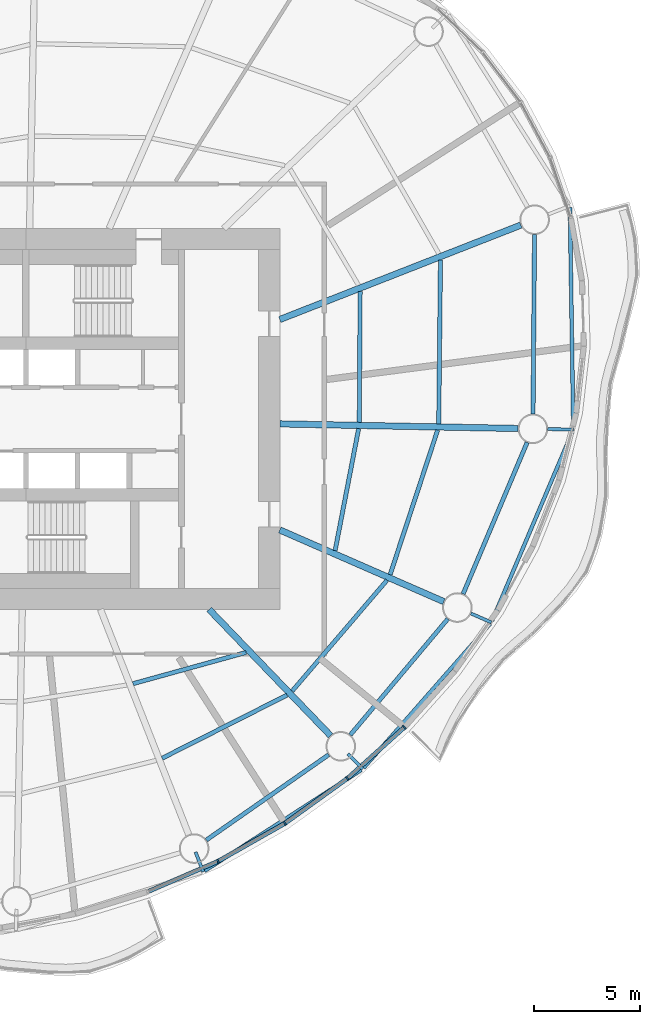
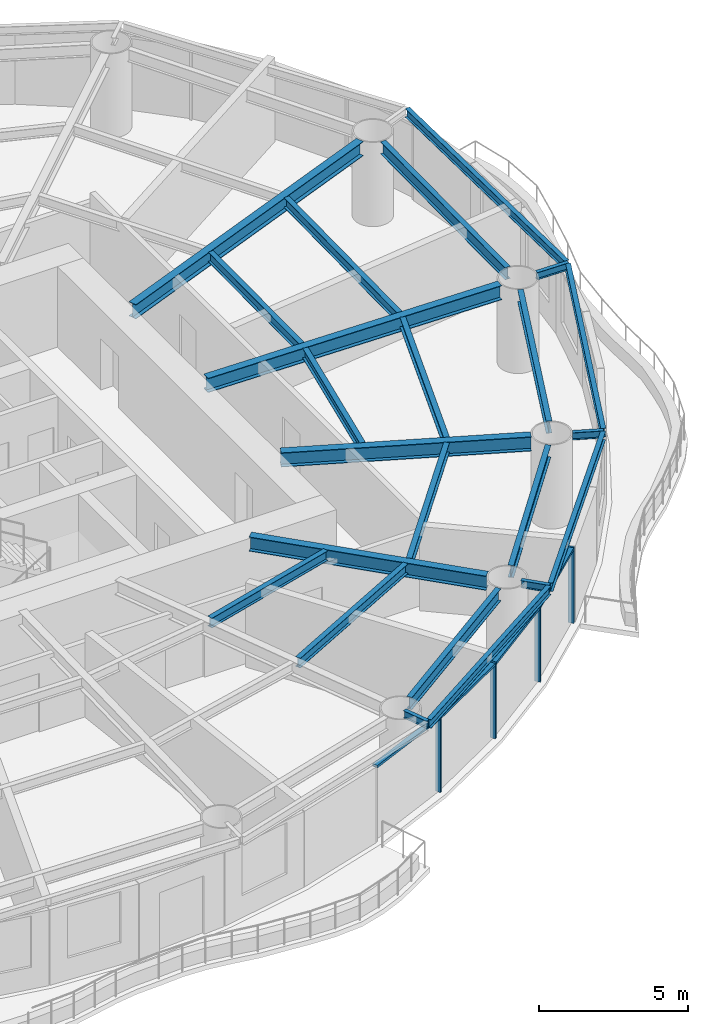
# One storey, part 4 of 14: 23 beams, 8 members, 4 elements without a shape of their own.
"""IFC4 building model written with IfcOpenShell, lengths in metres."""

from ifc_helpers import new_model, si_unit, direction, frame, origin, origin_2d, place, context, subcontext, project, spatial, rectangle, i_section, extrude, material, material_profile, profile_set, type_object, element, aggregate, save


model = new_model("IFC4")

# Units and contexts
model_context = context("Model", 3, precision=1e-05, world=origin(), true_north=direction((0.0, 1.0)))
body_context = subcontext(model_context, "Body", "Model", "MODEL_VIEW")
ifc_project = project(units=[si_unit("LENGTHUNIT", "METRE"), si_unit("AREAUNIT", "SQUARE_METRE"), si_unit("VOLUMEUNIT", "CUBIC_METRE"), si_unit("PLANEANGLEUNIT", "RADIAN"), si_unit("MASSUNIT", "GRAM", prefix="KILO")], contexts=[model_context])

# Site, building, storey
site_placement = place(None, origin())
site = spatial("IfcSite", under=ifc_project, at=site_placement, CompositionType="ELEMENT")
building_placement = place(site_placement, origin())
building = spatial("IfcBuilding", under=site, at=building_placement, Name="Vermilion Reach Broadcast Tower", CompositionType="ELEMENT")
storey_placement = place(building_placement, frame((0.0, 0.0, 165.0)))
storey = spatial("IfcBuildingStorey", under=building, at=storey_placement, Name="L39", CompositionType="ELEMENT", Elevation=165.0)

# Beams
ifc_material_1 = material(Name="Steel S355J2", Category="steel")
ifc_material_profile_1 = material_profile(ifc_material_1, i_section(OverallWidth=0.175048828125, OverallDepth=0.35009765625, WebThickness=0.007080078125, FlangeThickness=0.010986328125, at=origin_2d()), Name="S355J2 HN 350x175x7x11")
ifc_profile_set_1 = profile_set([ifc_material_profile_1], Name="Steel S355J2")
beam_type_1 = type_object("IfcBeamType", Name="EB3 HN 350x175x7x11", PredefinedType="BEAM", material=ifc_profile_set_1)
beam_1_placement = place(storey_placement, frame((2.4462890625, -21.358154296875, 3.27490234375), z_axis=(0.840483530554, 0.541837092553, 0.0), x_axis=(-0.541837092553, 0.840483530554, 0.0)))
element("IfcBeam", 1, at=beam_1_placement, inside=storey, type_object=beam_type_1, Name="Edge beam EB3-12", PredefinedType="BEAM", context=body_context, shape_type="SweptSolid", body=[
    extrude(i_section(OverallWidth=0.175048828125, OverallDepth=0.35009765625, WebThickness=0.007080078125, FlangeThickness=0.010986328125, at=origin_2d()), origin(), (0.0, 0.0, 1.0), 8.809326171875),
])
beam_2_placement = place(storey_placement, frame((9.96435546875, -16.487060546875, 3.27490234375), z_axis=(0.659596410878, 0.751619966976, 0.0), x_axis=(-0.751619966976, 0.659596410878, 0.0)))
element("IfcBeam", 2, at=beam_2_placement, inside=storey, type_object=beam_type_1, Name="Edge beam EB3-13", PredefinedType="BEAM", context=body_context, shape_type="SweptSolid", body=[
    extrude(i_section(OverallWidth=0.175048828125, OverallDepth=0.35009765625, WebThickness=0.007080078125, FlangeThickness=0.010986328125, at=origin_2d()), origin(), (0.0, 0.0, 1.0), 9.0654296875),
])
beam_3_placement = place(storey_placement, frame((16.025146484375, -9.545166015625, 3.27490234375), z_axis=(0.391075392007, 0.920358646271, 0.0), x_axis=(-0.920358646271, 0.391075392007, 0.0)))
element("IfcBeam", 3, at=beam_3_placement, inside=storey, type_object=beam_type_1, Name="Edge beam EB3-14", PredefinedType="BEAM", context=body_context, shape_type="SweptSolid", body=[
    extrude(i_section(OverallWidth=0.175048828125, OverallDepth=0.35009765625, WebThickness=0.007080078125, FlangeThickness=0.010986328125, at=origin_2d()), origin(), (0.0, 0.0, 1.0), 9.74560546875),
])
beam_4_placement = place(storey_placement, frame((19.866943359375, -0.42626953125, 3.27490234375), z_axis=(-0.015399378668, 0.999881422538, 0.0), x_axis=(-0.999881422538, -0.015399378668, 0.0)))
element("IfcBeam", 4, at=beam_4_placement, inside=storey, type_object=beam_type_1, Name="Edge beam EB3-15", PredefinedType="BEAM", context=body_context, shape_type="SweptSolid", body=[
    extrude(i_section(OverallWidth=0.175048828125, OverallDepth=0.35009765625, WebThickness=0.007080078125, FlangeThickness=0.010986328125, at=origin_2d()), origin(), (0.0, 0.0, 1.0), 10.416015625),
])
ifc_material_2 = material(Name="Steel S355J2", Category="steel")
ifc_material_profile_2 = material_profile(ifc_material_2, i_section(OverallWidth=0.300048828125, OverallDepth=0.587890625, WebThickness=0.011962890625, FlangeThickness=0.02001953125, at=origin_2d()), Name="S355J2 HM 588x300x12x20")
ifc_profile_set_2 = profile_set([ifc_material_profile_2], Name="Steel S355J2")
beam_type_2 = type_object("IfcBeamType", Name="G3 HM 588x300x12x20", PredefinedType="BEAM", material=ifc_profile_set_2)
beam_5_placement = place(storey_placement, frame((2.657958984375, -9.0, 3.156005859375), z_axis=(0.693282657492, -0.72066577331, 0.0), x_axis=(0.72066577331, 0.693282657492, 0.0)))
element("IfcBeam", 5, at=beam_5_placement, inside=storey, type_object=beam_type_2, Name="Girder G3-13", PredefinedType="BEAM", context=body_context, shape_type="SweptSolid", body=[
    extrude(i_section(OverallWidth=0.300048828125, OverallDepth=0.587890625, WebThickness=0.011962890625, FlangeThickness=0.02001953125, at=origin_2d()), origin(), (0.0, 0.0, 1.0), 8.273681640625),
])
beam_6_placement = place(storey_placement, frame((6.0, -5.2451171875, 3.156005859375), z_axis=(0.916287847036, -0.400520388213, 0.0), x_axis=(0.400520388213, 0.916287847036, 0.0)))
element("IfcBeam", 6, at=beam_6_placement, inside=storey, type_object=beam_type_2, Name="Girder G3-14", PredefinedType="BEAM", context=body_context, shape_type="SweptSolid", body=[
    extrude(i_section(OverallWidth=0.300048828125, OverallDepth=0.587890625, WebThickness=0.011962890625, FlangeThickness=0.02001953125, at=origin_2d()), origin(), (0.0, 0.0, 1.0), 8.45458984375),
])
beam_7_placement = place(storey_placement, frame((6.0, -0.232421875, 3.156005859375), z_axis=(0.999812170888, -0.019380994401, 0.0), x_axis=(0.019380994401, 0.999812170888, 0.0)))
element("IfcBeam", 7, at=beam_7_placement, inside=storey, type_object=beam_type_2, Name="Girder G3-15", PredefinedType="BEAM", context=body_context, shape_type="SweptSolid", body=[
    extrude(i_section(OverallWidth=0.300048828125, OverallDepth=0.587890625, WebThickness=0.011962890625, FlangeThickness=0.02001953125, at=origin_2d()), origin(), (0.0, 0.0, 1.0), 11.26171875),
])
beam_8_placement = place(storey_placement, frame((6.0, 4.700439453125, 3.156005859375), z_axis=(0.931124635714, 0.364701128004, 0.0), x_axis=(-0.364701128004, 0.931124635714, 0.0)))
element("IfcBeam", 8, at=beam_8_placement, inside=storey, type_object=beam_type_2, Name="Girder G3-16", PredefinedType="BEAM", context=body_context, shape_type="SweptSolid", body=[
    extrude(i_section(OverallWidth=0.300048828125, OverallDepth=0.587890625, WebThickness=0.011962890625, FlangeThickness=0.02001953125, at=origin_2d()), origin(), (0.0, 0.0, 1.0), 12.231201171875),
])
ifc_material_3 = material(Name="Steel S355J2", Category="steel")
ifc_material_profile_3 = material_profile(ifc_material_3, i_section(OverallWidth=0.14990234375, OverallDepth=0.300048828125, WebThickness=0.006591796875, FlangeThickness=0.009033203125, at=origin_2d()), Name="S355J2 HN 300x150x6.5x9")
ifc_profile_set_3 = profile_set([ifc_material_profile_3], Name="Steel S355J2")
beam_type_3 = type_object("IfcBeamType", Name="GS3 HN 300x150x6.5x9", PredefinedType="BEAM", material=ifc_profile_set_3)
beam_9_placement = place(storey_placement, frame((2.017333984375, -20.468505859375, 3.300048828125), z_axis=(0.364813627815, -0.931080564162, 0.0), x_axis=(0.931080564162, 0.364813627815, 0.0)))
element("IfcBeam", 9, at=beam_9_placement, inside=storey, type_object=beam_type_3, Name="Cantilever stub GS3-12", PredefinedType="BEAM", context=body_context, shape_type="SweptSolid", body=[
    extrude(i_section(OverallWidth=0.14990234375, OverallDepth=0.300048828125, WebThickness=0.006591796875, FlangeThickness=0.009033203125, at=origin_2d()), origin(), (0.0, 0.0, 1.0), 0.999755859375),
])
beam_10_placement = place(storey_placement, frame((9.221435546875, -15.822998046875, 3.300048828125), z_axis=(0.693303837595, -0.720645397388, 0.0), x_axis=(0.720645397388, 0.693303837595, 0.0)))
element("IfcBeam", 10, at=beam_10_placement, inside=storey, type_object=beam_type_3, Name="Cantilever stub GS3-13", PredefinedType="BEAM", context=body_context, shape_type="SweptSolid", body=[
    extrude(i_section(OverallWidth=0.14990234375, OverallDepth=0.300048828125, WebThickness=0.006591796875, FlangeThickness=0.009033203125, at=origin_2d()), origin(), (0.0, 0.0, 1.0), 1.0),
])
beam_11_placement = place(storey_placement, frame((15.02978515625, -9.19189453125, 3.300048828125), z_axis=(0.916258278461, -0.400588026721, 0.0), x_axis=(0.400588026721, 0.916258278461, 0.0)))
element("IfcBeam", 11, at=beam_11_placement, inside=storey, type_object=beam_type_3, Name="Cantilever stub GS3-14", PredefinedType="BEAM", context=body_context, shape_type="SweptSolid", body=[
    extrude(i_section(OverallWidth=0.14990234375, OverallDepth=0.300048828125, WebThickness=0.006591796875, FlangeThickness=0.009033203125, at=origin_2d()), origin(), (0.0, 0.0, 1.0), 1.054443359375),
])
beam_12_placement = place(storey_placement, frame((18.659423828125, -0.477783203125, 3.300048828125), z_axis=(0.999811990592, -0.019390293151, 0.0), x_axis=(0.019390293151, 0.999811990592, 0.0)))
element("IfcBeam", 12, at=beam_12_placement, inside=storey, type_object=beam_type_3, Name="Cantilever stub GS3-15", PredefinedType="BEAM", context=body_context, shape_type="SweptSolid", body=[
    extrude(i_section(OverallWidth=0.14990234375, OverallDepth=0.300048828125, WebThickness=0.006591796875, FlangeThickness=0.009033203125, at=origin_2d()), origin(), (0.0, 0.0, 1.0), 1.208740234375),
])
ifc_material_4 = material(Name="Steel S355J2", Category="steel")
ifc_material_profile_4 = material_profile(ifc_material_4, i_section(OverallWidth=0.199951171875, OverallDepth=0.5, WebThickness=0.010009765625, FlangeThickness=0.01611328125, at=origin_2d()), Name="S355J2 HN 500x200x10x16")
ifc_profile_set_4 = profile_set([ifc_material_profile_4], Name="Steel S355J2")
beam_type_4 = type_object("IfcBeamType", Name="RB3 HN 500x200x10x16", PredefinedType="BEAM", material=ifc_profile_set_4)
beam_13_placement = place(storey_placement, frame((2.525634765625, -19.900146484375, 3.199951171875), z_axis=(0.820111453349, 0.572203813415, 0.0), x_axis=(-0.572203813415, 0.820111453349, 0.0)))
element("IfcBeam", 13, at=beam_13_placement, inside=storey, type_object=beam_type_4, Name="Ring beam RB3-12", PredefinedType="BEAM", context=body_context, shape_type="SweptSolid", body=[
    extrude(i_section(OverallWidth=0.199951171875, OverallDepth=0.5, WebThickness=0.010009765625, FlangeThickness=0.01611328125, at=origin_2d()), origin(), (0.0, 0.0, 1.0), 7.04736328125),
])
beam_14_placement = place(storey_placement, frame((9.32958984375, -14.931396484375, 3.199951171875), z_axis=(0.643350337931, 0.765571905626, 0.0), x_axis=(-0.765571905626, 0.643350337931, 0.0)))
element("IfcBeam", 14, at=beam_14_placement, inside=storey, type_object=beam_type_4, Name="Ring beam RB3-13", PredefinedType="BEAM", context=body_context, shape_type="SweptSolid", body=[
    extrude(i_section(OverallWidth=0.199951171875, OverallDepth=0.5, WebThickness=0.010009765625, FlangeThickness=0.01611328125, at=origin_2d()), origin(), (0.0, 0.0, 1.0), 7.1630859375),
])
beam_15_placement = place(storey_placement, frame((14.660888671875, -8.266845703125, 3.199951171875), z_axis=(0.389368386196, 0.921082113512, 0.0), x_axis=(-0.921082113512, 0.389368386196, 0.0)))
element("IfcBeam", 15, at=beam_15_placement, inside=storey, type_object=beam_type_4, Name="Ring beam RB3-14", PredefinedType="BEAM", context=body_context, shape_type="SweptSolid", body=[
    extrude(i_section(OverallWidth=0.199951171875, OverallDepth=0.5, WebThickness=0.010009765625, FlangeThickness=0.01611328125, at=origin_2d()), origin(), (0.0, 0.0, 1.0), 7.771240234375),
])
beam_16_placement = place(storey_placement, frame((17.965087890625, 0.23583984375, 3.199951171875), z_axis=(0.008204232036, 0.999966344722, 0.0), x_axis=(-0.999966344722, 0.008204232036, 0.0)))
element("IfcBeam", 16, at=beam_16_placement, inside=storey, type_object=beam_type_4, Name="Ring beam RB3-15", PredefinedType="BEAM", context=body_context, shape_type="SweptSolid", body=[
    extrude(i_section(OverallWidth=0.199951171875, OverallDepth=0.5, WebThickness=0.010009765625, FlangeThickness=0.01611328125, at=origin_2d()), origin(), (0.0, 0.0, 1.0), 8.48095703125),
])
ifc_material_5 = material(Name="Steel S355J2", Category="steel")
ifc_material_profile_5 = material_profile(ifc_material_5, i_section(OverallWidth=0.199951171875, OverallDepth=0.39990234375, WebThickness=0.008056640625, FlangeThickness=0.012939453125, at=origin_2d()), Name="S355J2 HN 400x200x8x13")
ifc_profile_set_5 = profile_set([ifc_material_profile_5], Name="Steel S355J2")
beam_type_5 = type_object("IfcBeamType", Name="SB3 HN 400x200x8x13", PredefinedType="BEAM", material=ifc_profile_set_5)
beam_17_placement = place(storey_placement, frame((-0.93896484375, -12.509521484375, 3.25), z_axis=(0.963889790258, 0.266301468708, 0.0), x_axis=(-0.266301468708, 0.963889790258, 0.0)))
element("IfcBeam", 17, at=beam_17_placement, inside=storey, type_object=beam_type_5, Name="Secondary beam SB3-12-1", PredefinedType="BEAM", context=body_context, shape_type="SweptSolid", body=[
    extrude(i_section(OverallWidth=0.199951171875, OverallDepth=0.39990234375, WebThickness=0.008056640625, FlangeThickness=0.012939453125, at=origin_2d()), origin(), (0.0, 0.0, 1.0), 5.544677734375),
])
beam_18_placement = place(storey_placement, frame((0.4404296875, -16.03125, 3.25), z_axis=(0.892320561657, 0.451402276516, 0.0), x_axis=(-0.451402276516, 0.892320561657, 0.0)))
element("IfcBeam", 18, at=beam_18_placement, inside=storey, type_object=beam_type_5, Name="Secondary beam SB3-12-2", PredefinedType="BEAM", context=body_context, shape_type="SweptSolid", body=[
    extrude(i_section(OverallWidth=0.199951171875, OverallDepth=0.39990234375, WebThickness=0.008056640625, FlangeThickness=0.012939453125, at=origin_2d()), origin(), (0.0, 0.0, 1.0), 6.613525390625),
])
beam_19_placement = place(storey_placement, frame((6.579833984375, -12.860595703125, 3.25), z_axis=(0.650167134505, 0.759791219487, 0.0), x_axis=(-0.759791219487, 0.650167134505, 0.0)))
element("IfcBeam", 19, at=beam_19_placement, inside=storey, type_object=beam_type_5, Name="Secondary beam SB3-13-2", PredefinedType="BEAM", context=body_context, shape_type="SweptSolid", body=[
    extrude(i_section(OverallWidth=0.199951171875, OverallDepth=0.39990234375, WebThickness=0.008056640625, FlangeThickness=0.012939453125, at=origin_2d()), origin(), (0.0, 0.0, 1.0), 6.89501953125),
])
beam_20_placement = place(storey_placement, frame((8.611328125, -6.222900390625, 3.25), z_axis=(0.189462365782, 0.981887983404, 0.0), x_axis=(-0.981887983404, 0.189462365782, 0.0)))
element("IfcBeam", 20, at=beam_20_placement, inside=storey, type_object=beam_type_5, Name="Secondary beam SB3-14-1", PredefinedType="BEAM", context=body_context, shape_type="SweptSolid", body=[
    extrude(i_section(OverallWidth=0.199951171875, OverallDepth=0.39990234375, WebThickness=0.008056640625, FlangeThickness=0.012939453125, at=origin_2d()), origin(), (0.0, 0.0, 1.0), 5.874755859375),
])
beam_21_placement = place(storey_placement, frame((11.211669921875, -7.359375, 3.25), z_axis=(0.312243016281, 0.950002262515, 0.0), x_axis=(-0.950002262515, 0.312243016281, 0.0)))
element("IfcBeam", 21, at=beam_21_placement, inside=storey, type_object=beam_type_5, Name="Secondary beam SB3-14-2", PredefinedType="BEAM", context=body_context, shape_type="SweptSolid", body=[
    extrude(i_section(OverallWidth=0.199951171875, OverallDepth=0.39990234375, WebThickness=0.008056640625, FlangeThickness=0.012939453125, at=origin_2d()), origin(), (0.0, 0.0, 1.0), 7.19189453125),
])
beam_22_placement = place(storey_placement, frame((9.754150390625, -0.1552734375, 3.25), z_axis=(0.006635449147, 0.999977985165, 0.0), x_axis=(-0.999977985165, 0.006635449147, 0.0)))
element("IfcBeam", 22, at=beam_22_placement, inside=storey, type_object=beam_type_5, Name="Secondary beam SB3-15-1", PredefinedType="BEAM", context=body_context, shape_type="SweptSolid", body=[
    extrude(i_section(OverallWidth=0.199951171875, OverallDepth=0.39990234375, WebThickness=0.008056640625, FlangeThickness=0.012939453125, at=origin_2d()), origin(), (0.0, 0.0, 1.0), 6.181396484375),
])
beam_23_placement = place(storey_placement, frame((13.508056640625, -0.22802734375, 3.25), z_axis=(0.010691708672, 0.999942842049, 0.0), x_axis=(-0.999942842049, 0.010691708672, 0.0)))
element("IfcBeam", 23, at=beam_23_placement, inside=storey, type_object=beam_type_5, Name="Secondary beam SB3-15-2", PredefinedType="BEAM", context=body_context, shape_type="SweptSolid", body=[
    extrude(i_section(OverallWidth=0.199951171875, OverallDepth=0.39990234375, WebThickness=0.008056640625, FlangeThickness=0.012939453125, at=origin_2d()), origin(), (0.0, 0.0, 1.0), 7.740966796875),
])

# Curtain wall, member
ifc_material_6 = material(Name="Low-e laminated clear glass in aluminium frame", Category="aluminium")
curtain_wall_type = type_object("IfcCurtainWallType", Name="Slot curtain wall", PredefinedType="NOTDEFINED", material=ifc_material_6)
placement = place(storey_placement, origin())
curtain_wall_1 = element("IfcCurtainWall", 24, at=placement, inside=storey, type_object=curtain_wall_type, Name="Slot curtain wall L39 35", PredefinedType="NOTDEFINED")
ifc_material_7 = material(Name="Anodised aluminium", Category="aluminium")
ifc_material_profile_6 = material_profile(ifc_material_7, rectangle(XDim=0.199951171875, YDim=0.080078125, at=origin_2d()), Name="Slot mullion 80 x 200")
ifc_profile_set_6 = profile_set([ifc_material_profile_6], Name="Anodised aluminium")
member_type_1 = type_object("IfcMemberType", Name="Slot mullion 80 x 200", PredefinedType="MULLION", material=ifc_profile_set_6)
member_1_placement = place(storey_placement, frame((3.07763671875, -20.903076171875, 0.0), z_axis=(0.0, 0.0, 1.0), x_axis=(-0.445792743, 0.895136207674, 0.0)))
member_1 = element("IfcMember", 25, at=member_1_placement, type_object=member_type_1, Name="Slot mullion L39 35", PredefinedType="MULLION", context=body_context, shape_type="SweptSolid", body=[
    extrude(rectangle(XDim=0.199951171875, YDim=0.080078125, at=origin_2d()), origin(), (0.0, 0.0, 1.0), 3.10009765625),
])

curtain_wall_2 = element("IfcCurtainWall", 26, at=placement, inside=storey, type_object=curtain_wall_type, Name="Slot curtain wall L39 36", PredefinedType="NOTDEFINED")
member_2_placement = place(storey_placement, frame((6.23974609375, -19.109375, 0.0), z_axis=(0.0, 0.0, 1.0), x_axis=(-0.539358765981, 0.842076078249, 0.0)))
member_2 = element("IfcMember", 27, at=member_2_placement, type_object=member_type_1, Name="Slot mullion L39 36", PredefinedType="MULLION", context=body_context, shape_type="SweptSolid", body=[
    extrude(rectangle(XDim=0.199951171875, YDim=0.080078125, at=origin_2d()), origin(), (0.0, 0.0, 1.0), 3.10009765625),
])

# Curtain wall, members
curtain_wall_3 = element("IfcCurtainWall", 28, at=placement, inside=storey, type_object=curtain_wall_type, Name="Slot curtain wall L39 37", PredefinedType="NOTDEFINED")
member_3_placement = place(storey_placement, frame((9.191650390625, -16.987060546875, 0.0), z_axis=(0.0, 0.0, 1.0), x_axis=(-0.626684486241, 0.77927309379, 0.0)))
member_3 = element("IfcMember", 29, at=member_3_placement, type_object=member_type_1, Name="Slot mullion L39 37", PredefinedType="MULLION", context=body_context, shape_type="SweptSolid", body=[
    extrude(rectangle(XDim=0.199951171875, YDim=0.080078125, at=origin_2d()), origin(), (0.0, 0.0, 1.0), 3.10009765625),
])
member_4_placement = place(storey_placement, frame((11.882080078125, -14.5732421875, 0.0), z_axis=(0.0, 0.0, 1.0), x_axis=(-0.707612539915, 0.706600660454, 0.0)))
member_4 = element("IfcMember", 30, at=member_4_placement, type_object=member_type_1, Name="Slot mullion L39 38", PredefinedType="MULLION", context=body_context, shape_type="SweptSolid", body=[
    extrude(rectangle(XDim=0.199951171875, YDim=0.080078125, at=origin_2d()), origin(), (0.0, 0.0, 1.0), 3.10009765625),
])

# Curtain wall, member
curtain_wall_4 = element("IfcCurtainWall", 31, at=placement, inside=storey, type_object=curtain_wall_type, Name="Slot curtain wall L39 34", PredefinedType="NOTDEFINED")
ifc_material_8 = material(Name="Anodised aluminium", Category="aluminium")
ifc_material_profile_7 = material_profile(ifc_material_8, rectangle(XDim=0.199951171875, YDim=0.10009765625, at=origin_2d()), Name="Slot transom 200 x 100")
ifc_profile_set_7 = profile_set([ifc_material_profile_7], Name="Anodised aluminium")
member_type_2 = type_object("IfcMemberType", Name="Slot transom 200 x 100", PredefinedType="USERDEFINED", material=ifc_profile_set_7)
member_5_placement = place(storey_placement, frame((-0.20361328125, -22.32177734375, 3.050048828125), z_axis=(0.917871996945, 0.396876551618, 0.0), x_axis=(-0.396876551618, 0.917871996945, 0.0)))
member_5 = element("IfcMember", 32, at=member_5_placement, type_object=member_type_2, Name="Slot transom L39 34.1", ObjectType="TRANSOM", PredefinedType="USERDEFINED", context=body_context, shape_type="SweptSolid", body=[
    extrude(rectangle(XDim=0.199951171875, YDim=0.10009765625, at=origin_2d()), origin(), (0.0, 0.0, 1.0), 3.53466796875),
])
aggregate(curtain_wall_4, [member_5])

# Member
member_6_placement = place(storey_placement, frame((3.1123046875, -20.88330078125, 3.050048828125), z_axis=(0.869785481434, 0.493430052071, 0.0), x_axis=(-0.493430052071, 0.869785481434, 0.0)))
member_6 = element("IfcMember", 33, at=member_6_placement, type_object=member_type_2, Name="Slot transom L39 35.1", ObjectType="TRANSOM", PredefinedType="USERDEFINED", context=body_context, shape_type="SweptSolid", body=[
    extrude(rectangle(XDim=0.199951171875, YDim=0.10009765625, at=origin_2d()), origin(), (0.0, 0.0, 1.0), 3.555419921875),
])

aggregate(curtain_wall_1, [member_1, member_6])

member_7_placement = place(storey_placement, frame((6.272216796875, -19.0859375, 3.050048828125), z_axis=(0.811934005001, 0.58374923685, 0.0), x_axis=(-0.58374923685, 0.811934005001, 0.0)))
member_7 = element("IfcMember", 34, at=member_7_placement, type_object=member_type_2, Name="Slot transom L39 36.1", ObjectType="TRANSOM", PredefinedType="USERDEFINED", context=body_context, shape_type="SweptSolid", body=[
    extrude(rectangle(XDim=0.199951171875, YDim=0.10009765625, at=origin_2d()), origin(), (0.0, 0.0, 1.0), 3.555419921875),
])

aggregate(curtain_wall_2, [member_2, member_7])

member_8_placement = place(storey_placement, frame((9.22119140625, -16.96044921875, 3.050048828125), z_axis=(0.744333829312, 0.667807719738, 0.0), x_axis=(-0.667807719738, 0.744333829312, 0.0)))
member_8 = element("IfcMember", 35, at=member_8_placement, type_object=member_type_2, Name="Slot transom L39 37.1", ObjectType="TRANSOM", PredefinedType="USERDEFINED", context=body_context, shape_type="SweptSolid", body=[
    extrude(rectangle(XDim=0.199951171875, YDim=0.10009765625, at=origin_2d()), origin(), (0.0, 0.0, 1.0), 3.534912109375),
])

aggregate(curtain_wall_3, [member_3, member_4, member_8])

save(model, "model.ifc")
